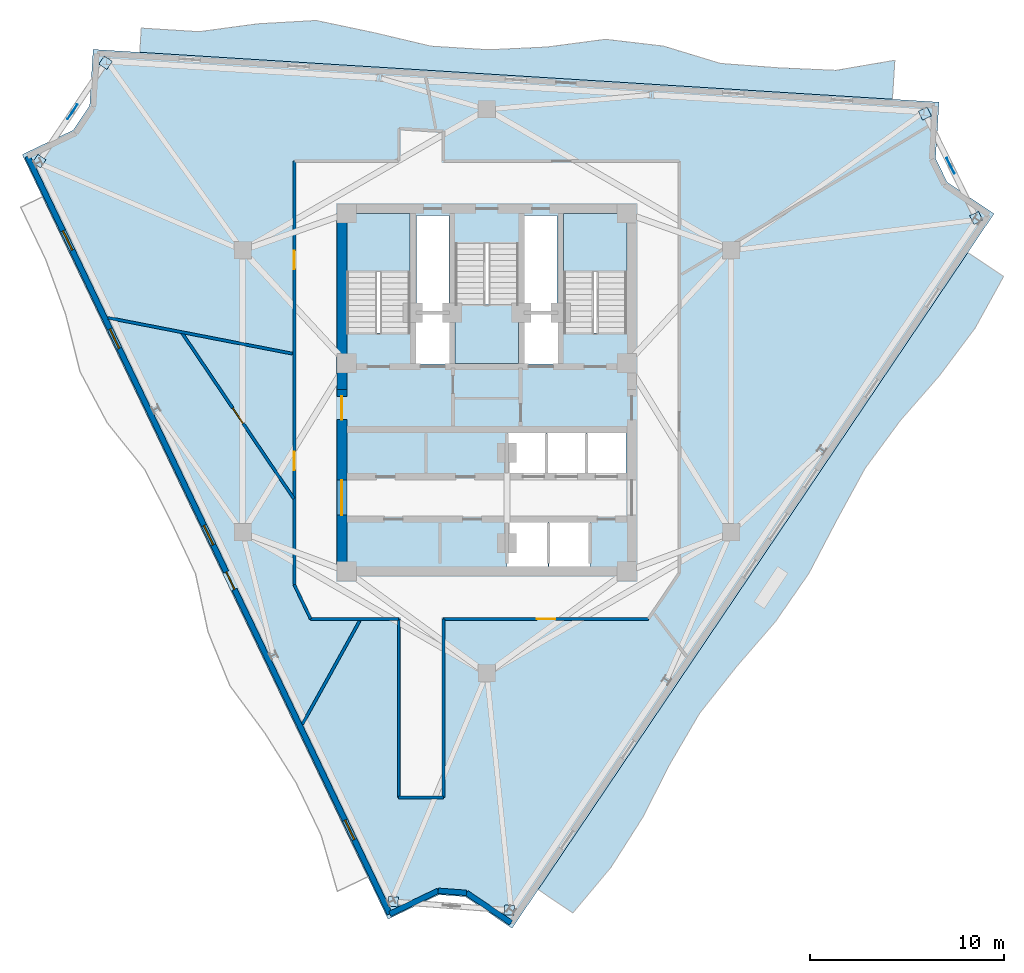
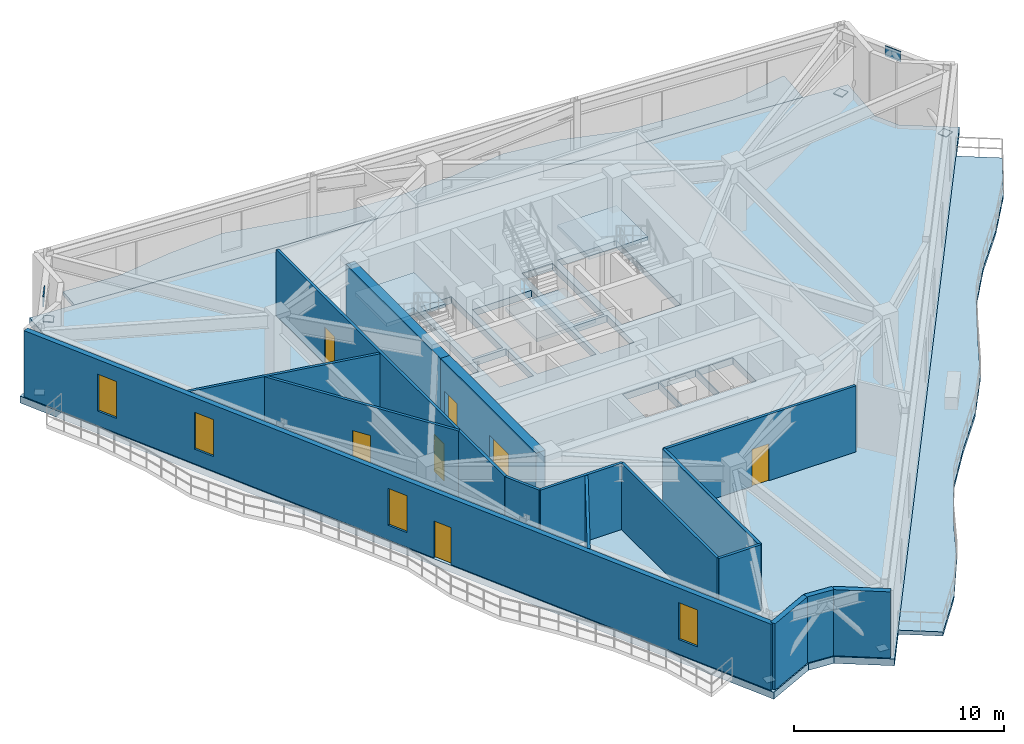
# One storey, part 5 of 11: 16 walls, 8 plates, 7 doors, 6 slabs, 4 windows, 11 openings, 3 elements without a shape of their own.
"""IFC4 building model written with IfcOpenShell, lengths in metres."""

import ifcopenshell
import ifcopenshell.guid

model = None  # the IFC model being written
_history = None  # IfcOwnerHistory: only IFC2X3 demands one
_inside = {}  # id of a spatial element -> (the spatial element, [elements in it])
_under = {}  # id of a project, library or spatial element -> (it, [spatial elements below it])
_declared = {}  # id of a project -> (the project, [libraries it declares])
_typed = {}  # id of a type object -> (the type object, [elements of that type])
_made_of = {}  # id of a material, layer set ... -> (it, [elements and type objects made of it])


def new_model(schema):
    """Start an empty IFC model of exactly this schema.

    Asked for "IFC4X3", IfcOpenShell would pick the latest addendum, in which some entities
    have other attributes; the version numbers below select the first issue.
    IFC2X3 requires an IfcOwnerHistory on every rooted entity: one is made here for all.
    """
    global model, _history
    if schema == "IFC4X3":
        model = ifcopenshell.file(schema_version=(4, 3, 0, 0))
    else:
        model = ifcopenshell.file(schema=schema)
    _inside.clear()
    _under.clear()
    _declared.clear()
    _typed.clear()
    _made_of.clear()
    _history = None
    if model.schema == "IFC2X3":
        org = make("IfcOrganization", Name="unknown")
        user = make(
            "IfcPersonAndOrganization",
            ThePerson=make("IfcPerson", FamilyName="unknown"),
            TheOrganization=org,
        )
        app = make(
            "IfcApplication",
            ApplicationDeveloper=org,
            Version="unknown",
            ApplicationFullName="unknown",
            ApplicationIdentifier="unknown",
        )
        _history = make(
            "IfcOwnerHistory",
            OwningUser=user,
            OwningApplication=app,
            ChangeAction="ADDED",
            CreationDate=0,
        )
    return model


def make(cls, **values):
    """One entity of the class cls with the attributes given. An attribute that is None is left unset."""
    return model.create_entity(
        cls, **{name: value for name, value in values.items() if value is not None}
    )


def rooted(cls, **values):
    """An entity with a GlobalId (a new one), such as an element, a storey or a relation."""
    return make(cls, GlobalId=ifcopenshell.guid.new(), OwnerHistory=_history, **values)


def si_unit(unit_type, name, prefix=None):
    """IfcSIUnit, for example si_unit("LENGTHUNIT", "METRE", prefix="MILLI")."""
    return make("IfcSIUnit", UnitType=unit_type, Prefix=prefix, Name=name)


def assignment(units):
    """IfcUnitAssignment: the units of a project."""
    return None if units is None else make("IfcUnitAssignment", Units=units)


def point(xyz):
    """IfcCartesianPoint."""
    return None if xyz is None else make("IfcCartesianPoint", Coordinates=xyz)


def direction(xyz):
    """IfcDirection."""
    return None if xyz is None else make("IfcDirection", DirectionRatios=xyz)


def frame(location, z_axis=None, x_axis=None):
    """IfcAxis2Placement3D, a coordinate frame: its origin and axes. An axis left out is left unset."""
    return make(
        "IfcAxis2Placement3D",
        Location=point(location),
        Axis=direction(z_axis),
        RefDirection=direction(x_axis),
    )


def frame_2d(location, x_axis=None):
    """IfcAxis2Placement2D, a coordinate frame in the plane: its origin and x axis."""
    return make(
        "IfcAxis2Placement2D", Location=point(location), RefDirection=direction(x_axis)
    )


def origin():
    """The frame at (0, 0, 0) with its axes left unset."""
    return frame((0.0, 0.0, 0.0))


def origin_2d():
    """The frame at (0, 0) in the plane with its x axis left unset."""
    return frame_2d((0.0, 0.0))


def place(relative_to, where):
    """IfcLocalPlacement: puts the frame where relative to a parent placement (None: the world)."""
    return make(
        "IfcLocalPlacement", PlacementRelTo=relative_to, RelativePlacement=where
    )


def context(
    kind, dimensions, precision=None, world=None, true_north=None, identifier=None
):
    """IfcGeometricRepresentationContext, for example the 3D "Model" context."""
    return make(
        "IfcGeometricRepresentationContext",
        ContextIdentifier=identifier,
        ContextType=kind,
        CoordinateSpaceDimension=dimensions,
        Precision=precision,
        WorldCoordinateSystem=world,
        TrueNorth=true_north,
    )


def subcontext(parent, identifier, kind, view, scale=None):
    """IfcGeometricRepresentationSubContext, for example "Body" below "Model"."""
    return make(
        "IfcGeometricRepresentationSubContext",
        ContextIdentifier=identifier,
        ContextType=kind,
        ParentContext=parent,
        TargetScale=scale,
        TargetView=view,
    )


def project(units=None, contexts=None):
    """IfcProject with its units and contexts."""
    return rooted(
        "IfcProject",
        Name="project",
        RepresentationContexts=contexts,
        UnitsInContext=assignment(units),
    )


def spatial(cls, under=None, at=None, **own):
    """A site, building, storey or space (cls), placed at a placement, below another one or the project."""
    s = rooted(cls, ObjectPlacement=at, **own)
    if under is not None:
        _under.setdefault(under.id(), (under, []))[1].append(s)
    return s


def polyline(points):
    """IfcPolyline through the points."""
    return make("IfcPolyline", Points=[point(p) for p in points])


def profile(cls, at=None, kind="AREA", **sizes):
    """A parametric profile (cls). Its sizes go by their IFC names, for example OverallWidth=200.0."""
    return make(cls, ProfileType=kind, Position=at, **sizes)


def rectangle(**sizes):
    """IfcRectangleProfileDef."""
    return profile("IfcRectangleProfileDef", **sizes)


def outline(outer, holes=None, kind="AREA"):
    """IfcArbitraryClosedProfileDef: a profile drawn as a closed curve; with holes, ...WithVoids."""
    if holes is None:
        return make("IfcArbitraryClosedProfileDef", ProfileType=kind, OuterCurve=outer)
    return make(
        "IfcArbitraryProfileDefWithVoids",
        ProfileType=kind,
        OuterCurve=outer,
        InnerCurves=holes,
    )


def extrude(swept, where, along, depth):
    """IfcExtrudedAreaSolid: the profile swept, set in the frame where, extruded along a direction by depth."""
    return make(
        "IfcExtrudedAreaSolid",
        SweptArea=swept,
        Position=where,
        ExtrudedDirection=direction(along),
        Depth=depth,
    )


def shape(context_of_items, identifier, shape_type, items):
    """IfcShapeRepresentation: the items that make up one representation, for example the "Body"."""
    return make(
        "IfcShapeRepresentation",
        ContextOfItems=context_of_items,
        RepresentationIdentifier=identifier,
        RepresentationType=shape_type,
        Items=items,
    )


def material(Name=None, Category=None):
    """IfcMaterial."""
    return make("IfcMaterial", Name=Name, Category=Category)


def layer(
    of_material, thickness, ventilated=None, Name=None, Category=None, Priority=None
):
    """IfcMaterialLayer: one layer of a wall or slab, of a material (None: an air gap)."""
    return make(
        "IfcMaterialLayer",
        Material=of_material,
        LayerThickness=thickness,
        IsVentilated=ventilated,
        Name=Name,
        Category=Category,
        Priority=Priority,
    )


def layer_set(layers, Name=None):
    """IfcMaterialLayerSet."""
    return make("IfcMaterialLayerSet", MaterialLayers=layers, LayerSetName=Name)


def made_of(thing, what):
    """Note that an element or type object is made of a material, layer set ...; save() writes the relation."""
    if what is not None:
        _made_of.setdefault(what.id(), (what, []))[1].append(thing)
    return thing


def type_object(cls, material=None, **own):
    """A type object (cls), such as IfcWallType, which elements share."""
    return made_of(rooted(cls, **own), material)


def element(
    cls,
    number,
    at=None,
    inside=None,
    cuts=None,
    type_object=None,
    material=None,
    context=None,
    identifier="Body",
    shape_type=None,
    held_by="IfcProductDefinitionShape",
    body=None,
    shapes=None,
    **own,
):
    """One element of the class cls, such as IfcWall. Its Tag is "e" and its number.

    at: its placement. inside: the storey or other place that contains it. cuts: it is an
    opening in that element (IfcRelVoidsElement). A single representation is given by context,
    identifier, shape_type and body (its items); several are given by shapes. held_by: the class
    of the entity that holds the representations. save() writes the other relations.
    """
    e = rooted(cls, Tag="e%d" % number, ObjectPlacement=at, **own)
    if body is not None:
        shapes = [shape(context, identifier, shape_type, body)]
    if shapes is not None:
        e.Representation = make(held_by, Representations=shapes)
    if inside is not None:
        _inside.setdefault(inside.id(), (inside, []))[1].append(e)
    if cuts is not None:
        rooted(
            "IfcRelVoidsElement", RelatingBuildingElement=cuts, RelatedOpeningElement=e
        )
    if type_object is not None:
        _typed.setdefault(type_object.id(), (type_object, []))[1].append(e)
    return made_of(e, material)


def fill(opening, filler):
    """IfcRelFillsElement: the door or window that sits in an opening."""
    return rooted(
        "IfcRelFillsElement",
        RelatingOpeningElement=opening,
        RelatedBuildingElement=filler,
    )


def aggregate(whole, parts):
    """IfcRelAggregates: a whole, such as a stair, and the parts it consists of."""
    return rooted("IfcRelAggregates", RelatingObject=whole, RelatedObjects=parts)


def save(model, path):
    """Write the relations noted so far, then the file.

    IfcRelAggregates (storeys below a building ...), IfcRelContainedInSpatialStructure (elements
    in a storey), IfcRelDefinesByType, IfcRelAssociatesMaterial and IfcRelDeclares: one each for
    every whole, place, type object, material and project.
    """
    for whole, parts in _under.values():
        aggregate(whole, parts)
    for where, things in _inside.values():
        rooted(
            "IfcRelContainedInSpatialStructure",
            RelatedElements=things,
            RelatingStructure=where,
        )
    for kind, things in _typed.values():
        rooted("IfcRelDefinesByType", RelatedObjects=things, RelatingType=kind)
    for what, things in _made_of.values():
        rooted("IfcRelAssociatesMaterial", RelatedObjects=things, RelatingMaterial=what)
    for by, libraries in _declared.values():
        rooted("IfcRelDeclares", RelatingContext=by, RelatedDefinitions=libraries)
    model.write(path)


model = new_model("IFC4")

# Units and contexts
model_context = context("Model", 3, precision=1e-05, world=origin(), true_north=direction((0.0, 1.0)))
body_context = subcontext(model_context, "Body", "Model", "MODEL_VIEW")
ifc_project = project(units=[si_unit("LENGTHUNIT", "METRE"), si_unit("AREAUNIT", "SQUARE_METRE"), si_unit("VOLUMEUNIT", "CUBIC_METRE"), si_unit("PLANEANGLEUNIT", "RADIAN"), si_unit("MASSUNIT", "GRAM", prefix="KILO")], contexts=[model_context])

# Site, building, storey
site_placement = place(None, origin())
site = spatial("IfcSite", under=ifc_project, at=site_placement, CompositionType="ELEMENT")
building_placement = place(site_placement, origin())
building = spatial("IfcBuilding", under=site, at=building_placement, Name="Apsidion Concourse Tower", CompositionType="ELEMENT")
storey_placement = place(building_placement, frame((0.0, 0.0, 294.199951171875)))
storey = spatial("IfcBuildingStorey", under=building, at=storey_placement, Name="L69", CompositionType="ELEMENT", Elevation=294.199951171875)

# Plates
ifc_material_1 = material(Name="Structural steel ASTM A572 Grade 50", Category="steel")
ifc_layer_1 = layer(ifc_material_1, 0.034912109375)
ifc_layer_set_1 = layer_set([ifc_layer_1], Name="Structural steel ASTM A572 Grade 50")
plate_type_1 = type_object("IfcPlateType", Name="PL-ENDCAP-35", PredefinedType="USERDEFINED", material=ifc_layer_set_1)
for number, where, z_axis, x_axis, name in (
    (1, (-4.81201171875, -26.234130859375, 0.1025390625), (0.0, 0.0, 1.0), (-0.997288851512, 0.073586321085, 0.0), "L69 Chevron Base End Plate KNB-1-1"),
    (2, (1.154296875, -26.674560546875, 0.1025390625), (0.0, 0.0, 1.0), (-0.997288851512, 0.073586321085, 0.0), "L69 Chevron Base End Plate KNB-1-2"),
    (3, (25.164794921875, 8.922119140625, 0.1025390625), (0.0, 0.0, 1.0), (-0.441819028143, 0.897104200397, 0.0), "L69 Chevron Base End Plate KNB-2-1"),
    (4, (22.521240234375, 14.288818359375, 0.1025390625), (0.0, 0.0, 1.0), (-0.441819028143, 0.897104200397, 0.0), "L69 Chevron Base End Plate KNB-2-2"),
    (5, (-19.601806640625, 16.905517578125, 0.1025390625), (0.0, 0.0, 1.0), (0.559192903471, 0.829037572555, 0.0), "L69 Chevron Base End Plate KNB-3-1"),
    (6, (-23.017333984375, 11.841552734375, 0.1025390625), (0.0, 0.0, 1.0), (0.559192903471, 0.829037572555, 0.0), "L69 Chevron Base End Plate KNB-3-2"),
):
    element("IfcPlate", number, at=place(storey_placement, frame(where, z_axis=z_axis, x_axis=x_axis)), inside=storey, type_object=plate_type_1, Name=name, ObjectType="FLANGE_PLATE", PredefinedType="USERDEFINED", context=body_context, shape_type="SweptSolid", body=[
        extrude(rectangle(XDim=0.5, YDim=0.5, at=origin_2d()), origin(), (0.0, 0.0, 1.0), 0.034912109375),
    ])
ifc_layer_2 = layer(ifc_material_1, 0.0400390625)
ifc_layer_set_2 = layer_set([ifc_layer_2], Name="Structural steel ASTM A572 Grade 50")
plate_type_2 = type_object("IfcPlateType", Name="PL-GUSSET-40", PredefinedType="SHEET", material=ifc_layer_set_2)
for number, where, z_axis, x_axis, name in (
    (7, (23.843017578125, 11.605712890625, 3.27001953125), (0.0, 0.0, 1.0), (-0.441819028143, 0.897104200397, 0.0), "L69 Chevron Apex Node Gusset Plate KNA-2"),
    (8, (-21.3095703125, 14.37353515625, 3.27001953125), (0.0, 0.0, 1.0), (0.559192903471, 0.829037572555, 0.0), "L69 Chevron Apex Node Gusset Plate KNA-3"),
):
    element("IfcPlate", number, at=place(storey_placement, frame(where, z_axis=z_axis, x_axis=x_axis)), inside=storey, type_object=plate_type_2, Name=name, PredefinedType="SHEET", context=body_context, shape_type="SweptSolid", body=[
        extrude(rectangle(XDim=0.89990234375, YDim=0.0400390625, at=origin_2d()), origin(), (0.0, 0.0, 1.0), 0.60009765625),
    ])

# Slabs
ifc_material_2 = material(Name="Concrete C50/60", Category="concrete")
ifc_layer_3 = layer(ifc_material_2, 0.219970703125)
ifc_layer_set_3 = layer_set([ifc_layer_3], Name="Concrete C50/60")
slab_type_1 = type_object("IfcSlabType", Name="SL-BAL-220", PredefinedType="FLOOR", material=ifc_layer_set_3)
slab_1_placement = place(storey_placement, frame((0.0, 0.0, -0.219970703125)))
element("IfcSlab", 9, at=slab_1_placement, inside=storey, type_object=slab_type_1, Name="L69 Face 3 Rippling Balcony Slab", PredefinedType="FLOOR", context=body_context, shape_type="SweptSolid", body=[
    extrude(outline(polyline([(20.8564453125, 15.025146484375), (17.879150390625, 15.2109375), (14.90185546875, 15.396484375), (11.924560546875, 15.582275390625), (8.947265625, 15.767822265625), (5.969970703125, 15.95361328125), (2.99267578125, 16.139404296875), (0.015380859375, 16.324951171875), (-2.9619140625, 16.510498046875), (-5.939208984375, 16.6962890625), (-8.91650390625, 16.882080078125), (-11.893798828125, 17.067626953125), (-14.87109375, 17.25341796875), (-17.848388671875, 17.43896484375), (-17.7705078125, 18.6865234375), (-14.793212890625, 18.5009765625), (-11.779052734375, 18.906005859375), (-8.779541015625, 19.076416015625), (-5.82958984375, 18.455322265625), (-2.884033203125, 17.75830078125), (0.09326171875, 17.572509765625), (3.0908203125, 17.712158203125), (6.104248046875, 18.10791015625), (9.071533203125, 17.76123046875), (12.0048828125, 16.869140625), (14.979736328125, 16.64404296875), (17.96044921875, 16.513671875), (20.9814453125, 17.031005859375), (20.8564453125, 15.025146484375)])), origin(), (0.0, 0.0, 1.0), 0.219970703125),
])
ifc_layer_4 = layer(ifc_material_2, 0.39990234375)
ifc_layer_set_4 = layer_set([ifc_layer_4], Name="Concrete C50/60")
slab_type_2 = type_object("IfcSlabType", Name="SL-FLR-400", PredefinedType="FLOOR", material=ifc_layer_set_4)
slab_2_placement = place(storey_placement, frame((0.0, 0.0, -0.39990234375)))
element("IfcSlab", 10, at=slab_2_placement, inside=storey, type_object=slab_type_2, Name="L69 Structural Floor Slab", PredefinedType="FLOOR", context=body_context, shape_type="SweptSolid", body=[
    extrude(outline(polyline([(-20.24365234375, 17.58837890625), (-20.424560546875, 14.688232421875), (-21.27001953125, 13.43505859375), (-23.89111328125, 12.180908203125), (-5.082275390625, -27.131103515625), (-2.461181640625, -25.877197265625), (-1.11181640625, -25.9765625), (1.297119140625, -27.6015625), (26.07763671875, 9.136962890625), (23.668701171875, 10.76171875), (23.07080078125, 11.9755859375), (23.251708984375, 14.875732421875), (-20.24365234375, 17.58837890625)]), holes=[polyline([(-3.949951171875, 3.0), (-3.949951171875, 9.14990234375), (-7.199951171875, 9.14990234375), (-7.199951171875, 3.0), (-3.949951171875, 3.0)]), polyline([(7.199951171875, 3.0), (7.199951171875, 9.14990234375), (3.949951171875, 9.14990234375), (3.949951171875, 3.0), (7.199951171875, 3.0)]), polyline([(-1.625, 7.60009765625), (-1.625, 1.449951171875), (1.625, 1.449951171875), (1.625, 7.60009765625), (-1.625, 7.60009765625)]), polyline([(1.054931640625, -4.300048828125), (3.044921875, -4.300048828125), (3.044921875, -2.050048828125), (1.054931640625, -2.050048828125), (1.054931640625, -4.300048828125)]), polyline([(3.10498046875, -4.300048828125), (5.094970703125, -4.300048828125), (5.094970703125, -2.050048828125), (3.10498046875, -2.050048828125), (3.10498046875, -4.300048828125)]), polyline([(5.155029296875, -4.300048828125), (7.14501953125, -4.300048828125), (7.14501953125, -2.050048828125), (5.155029296875, -2.050048828125), (5.155029296875, -4.300048828125)]), polyline([(1.044921875, -9.0), (3.155029296875, -9.0), (3.155029296875, -6.64990234375), (1.044921875, -6.64990234375), (1.044921875, -9.0)]), polyline([(3.195068359375, -9.0), (5.304931640625, -9.0), (5.304931640625, -6.64990234375), (3.195068359375, -6.64990234375), (3.195068359375, -9.0)]), polyline([(-3.7099609375, 1.39990234375), (-1.85009765625, 1.39990234375), (-1.85009765625, 4.0), (-3.7099609375, 4.0), (-3.7099609375, 1.39990234375)]), polyline([(1.85009765625, 1.39990234375), (3.7099609375, 1.39990234375), (3.7099609375, 4.0), (1.85009765625, 4.0), (1.85009765625, 1.39990234375)]), polyline([(-3.6201171875, 4.14990234375), (-1.93994140625, 4.14990234375), (-1.93994140625, 9.050048828125), (-3.6201171875, 9.050048828125), (-3.6201171875, 4.14990234375)]), polyline([(1.93994140625, 4.14990234375), (3.6201171875, 4.14990234375), (3.6201171875, 9.050048828125), (1.93994140625, 9.050048828125), (1.93994140625, 4.14990234375)])]), origin(), (0.0, 0.0, 1.0), 0.39990234375),
])

# Stair, slab
ifc_material_3 = material(Name="Precast concrete C40/50", Category="concrete")
stair_type = type_object("IfcStairType", Name="ST-DL-1550", PredefinedType="HALF_TURN_STAIR", material=ifc_material_3)
stair_1_placement = place(storey_placement, origin())
stair_1 = element("IfcStair", 11, at=stair_1_placement, inside=storey, type_object=stair_type, Name="L69 Protected Core Exit Stair ST1", PredefinedType="HALF_TURN_STAIR")
ifc_layer_5 = layer(ifc_material_2, 0.199951171875)
ifc_layer_set_5 = layer_set([ifc_layer_5], Name="Concrete C50/60")
slab_type_3 = type_object("IfcSlabType", Name="SL-ST-LAND-200", PredefinedType="LANDING", material=ifc_layer_set_5)
slab_3_placement = place(storey_placement, frame((0.0, 0.0, 1.85009765625)))
slab_3 = element("IfcSlab", 12, at=slab_3_placement, type_object=slab_type_3, Name="ST1 landing 1", PredefinedType="LANDING", context=body_context, shape_type="SweptSolid", body=[
    extrude(outline(polyline([(-3.949951171875, 6.135009765625), (-3.949951171875, 9.14990234375), (-7.199951171875, 9.14990234375), (-7.199951171875, 6.135009765625), (-3.949951171875, 6.135009765625)])), origin(), (0.0, 0.0, 1.0), 0.199951171875),
])
aggregate(stair_1, [slab_3])

stair_2_placement = place(storey_placement, origin())
stair_2 = element("IfcStair", 13, at=stair_2_placement, inside=storey, type_object=stair_type, Name="L69 Protected Core Exit Stair ST2", PredefinedType="HALF_TURN_STAIR")
slab_4_placement = place(storey_placement, frame((0.0, 0.0, 1.85009765625)))
slab_4 = element("IfcSlab", 14, at=slab_4_placement, type_object=slab_type_3, Name="ST2 landing 1", PredefinedType="LANDING", context=body_context, shape_type="SweptSolid", body=[
    extrude(outline(polyline([(7.199951171875, 6.135009765625), (7.199951171875, 9.14990234375), (3.949951171875, 9.14990234375), (3.949951171875, 6.135009765625), (7.199951171875, 6.135009765625)])), origin(), (0.0, 0.0, 1.0), 0.199951171875),
])
aggregate(stair_2, [slab_4])

stair_3_placement = place(storey_placement, origin())
stair_3 = element("IfcStair", 15, at=stair_3_placement, inside=storey, type_object=stair_type, Name="L69 Protected Core Exit Stair ST3", PredefinedType="HALF_TURN_STAIR")
slab_5_placement = place(storey_placement, frame((0.0, 0.0, 1.85009765625)))
slab_5 = element("IfcSlab", 16, at=slab_5_placement, type_object=slab_type_3, Name="ST3 landing 1", PredefinedType="LANDING", context=body_context, shape_type="SweptSolid", body=[
    extrude(outline(polyline([(-1.625, 4.465087890625), (-1.625, 1.449951171875), (1.625, 1.449951171875), (1.625, 4.465087890625), (-1.625, 4.465087890625)])), origin(), (0.0, 0.0, 1.0), 0.199951171875),
])
aggregate(stair_3, [slab_5])

# Slab
ifc_layer_6 = layer(ifc_material_2, 0.239990234375)
ifc_layer_set_6 = layer_set([ifc_layer_6], Name="Concrete C50/60")
slab_type_4 = type_object("IfcSlabType", Name="SL-TERR-240", PredefinedType="ROOF", material=ifc_layer_set_6)
slab_6_placement = place(storey_placement, frame((0.0, 0.0, -0.239990234375)))
element("IfcSlab", 17, at=slab_6_placement, inside=storey, type_object=slab_type_4, Name="L69 Face 2 Spiral Sky-Terrace Slab", PredefinedType="ROOF", context=body_context, shape_type="SweptSolid", body=[
    extrude(outline(polyline([(2.639404296875, -25.61181640625), (4.339111328125, -23.091796875), (6.038818359375, -20.572021484375), (7.73828125, -18.052001953125), (9.43798828125, -15.531982421875), (11.1376953125, -13.01220703125), (12.83740234375, -10.4921875), (14.537353515625, -7.972412109375), (16.237060546875, -5.452392578125), (17.936767578125, -2.9326171875), (19.636474609375, -0.41259765625), (21.336181640625, 2.107421875), (23.035888671875, 4.627197265625), (24.735595703125, 7.147216796875), (26.571044921875, 5.9091796875), (25.093505859375, 3.2392578125), (23.268310546875, 0.80419921875), (21.253662109375, -1.50341796875), (19.44775390625, -3.951904296875), (17.984619140625, -6.631103515625), (16.5654296875, -9.34033203125), (14.835693359375, -11.840087890625), (12.83349609375, -14.156005859375), (10.94091796875, -16.545654296875), (9.401611328125, -19.173828125), (8.012939453125, -21.90380859375), (6.3818359375, -24.469970703125), (4.421630859375, -26.814208984375), (2.639404296875, -25.61181640625)])), origin(), (0.0, 0.0, 1.0), 0.239990234375),
])

# Walls
ifc_layer_7 = layer(ifc_material_3, 0.280029296875)
ifc_layer_set_7 = layer_set([ifc_layer_7], Name="Precast concrete C40/50")
wall_type_1 = type_object("IfcWallType", Name="WL-EXT-280", PredefinedType="STANDARD", material=ifc_layer_set_7)
wall_1_placement = place(storey_placement, frame((1.2431640625, -27.323974609375, 0.0), z_axis=(0.0, 0.0, 1.0), x_axis=(-0.829015842911, 0.559225117643, 0.0)))
element("IfcWall", 18, at=wall_1_placement, inside=storey, type_object=wall_type_1, Name="L69 Precast Stone Facade Wall 06", PredefinedType="STANDARD", context=body_context, shape_type="SweptSolid", body=[
    extrude(rectangle(XDim=2.759033203125, YDim=0.280029296875, at=frame_2d((1.37939453125, 0.0))), origin(), (0.0, 0.0, 1.0), 3.85009765625),
])
wall_2_placement = place(storey_placement, frame((-1.044189453125, -25.781005859375, 0.0), z_axis=(0.0, 0.0, 1.0), x_axis=(-0.997286893261, 0.073612855735, 0.0)))
element("IfcWall", 19, at=wall_2_placement, inside=storey, type_object=wall_type_1, Name="L69 Precast Stone Facade Wall 07", PredefinedType="STANDARD", context=body_context, shape_type="SweptSolid", body=[
    extrude(rectangle(XDim=1.459228515625, YDim=0.280029296875, at=frame_2d((0.7294921875, 0.0))), origin(), (0.0, 0.0, 1.0), 3.85009765625),
])
wall_3_placement = place(storey_placement, frame((-2.49951171875, -25.673583984375, 0.0), z_axis=(0.0, 0.0, 1.0), x_axis=(-0.902044352952, -0.431643354296, 0.0)))
element("IfcWall", 20, at=wall_3_placement, inside=storey, type_object=wall_type_1, Name="L69 Precast Stone Facade Wall 08", PredefinedType="STANDARD", context=body_context, shape_type="SweptSolid", body=[
    extrude(rectangle(XDim=2.759033203125, YDim=0.280029296875, at=frame_2d((1.37939453125, 0.0))), origin(), (0.0, 0.0, 1.0), 3.85009765625),
])

# Wall, openings, door, windows
wall_4_placement = place(storey_placement, frame((-4.98828125, -26.864501953125, 0.0), z_axis=(0.0, 0.0, 1.0), x_axis=(-0.431592936847, 0.902068476815, 0.0)))
wall_4 = element("IfcWall", 21, at=wall_4_placement, inside=storey, type_object=wall_type_1, Name="L69 Precast Stone Facade Wall 09", PredefinedType="STANDARD", context=body_context, shape_type="SweptSolid", body=[
    extrude(rectangle(XDim=43.18017578125, YDim=0.280029296875, at=frame_2d((21.590087890625, 0.0))), origin(), (0.0, 0.0, 1.0), 3.85009765625),
])
opening_1_placement = place(wall_4_placement, frame((18.499267578125, 0.0, 0.0)))
opening_1 = element("IfcOpeningElement", 22, at=opening_1_placement, cuts=wall_4, Name="Opening D-T1R", PredefinedType="OPENING", context=body_context, shape_type="SweptSolid", body=[
    extrude(rectangle(XDim=1.0, YDim=2.14990234375, at=frame_2d((0.5, 1.074951171875))), frame((0.0, 0.14990234375, 0.0), z_axis=(0.0, -1.0, 0.0), x_axis=(1.0, 0.0, 0.0)), (0.0, 0.0, 1.0), 0.300048828125),
])
opening_2_placement = place(wall_4_placement, frame((4.239990234375, 0.0, 0.85009765625)))
opening_2 = element("IfcOpeningElement", 23, at=opening_2_placement, cuts=wall_4, Name="Opening WN-07", PredefinedType="OPENING", context=body_context, shape_type="SweptSolid", body=[
    extrude(rectangle(XDim=1.10009765625, YDim=2.14990234375, at=frame_2d((0.550048828125, 1.074951171875))), frame((0.0, 0.14990234375, 0.0), z_axis=(0.0, -1.0, 0.0), x_axis=(1.0, 0.0, 0.0)), (0.0, 0.0, 1.0), 0.300048828125),
])
opening_3_placement = place(wall_4_placement, frame((21.0400390625, 0.0, 0.85009765625)))
opening_3 = element("IfcOpeningElement", 24, at=opening_3_placement, cuts=wall_4, Name="Opening WN-07", PredefinedType="OPENING", context=body_context, shape_type="SweptSolid", body=[
    extrude(rectangle(XDim=1.10009765625, YDim=2.14990234375, at=frame_2d((0.550048828125, 1.074951171875))), frame((0.0, 0.14990234375, 0.0), z_axis=(0.0, -1.0, 0.0), x_axis=(1.0, 0.0, 0.0)), (0.0, 0.0, 1.0), 0.300048828125),
])
opening_4_placement = place(wall_4_placement, frame((32.239990234375, 0.0, 0.85009765625)))
opening_4 = element("IfcOpeningElement", 25, at=opening_4_placement, cuts=wall_4, Name="Opening WN-07", PredefinedType="OPENING", context=body_context, shape_type="SweptSolid", body=[
    extrude(rectangle(XDim=1.10009765625, YDim=2.14990234375, at=frame_2d((0.550048828125, 1.074951171875))), frame((0.0, 0.14990234375, 0.0), z_axis=(0.0, -1.0, 0.0), x_axis=(1.0, 0.0, 0.0)), (0.0, 0.0, 1.0), 0.300048828125),
])
opening_5_placement = place(wall_4_placement, frame((37.840087890625, 0.0, 0.85009765625)))
opening_5 = element("IfcOpeningElement", 26, at=opening_5_placement, cuts=wall_4, Name="Opening WN-07", PredefinedType="OPENING", context=body_context, shape_type="SweptSolid", body=[
    extrude(rectangle(XDim=1.10009765625, YDim=2.14990234375, at=frame_2d((0.550048828125, 1.074951171875))), frame((0.0, 0.14990234375, 0.0), z_axis=(0.0, -1.0, 0.0), x_axis=(1.0, 0.0, 0.0)), (0.0, 0.0, 1.0), 0.300048828125),
])
ifc_material_4 = material(Name="Anodised aluminium EN AW-6063 T6", Category="aluminium")
door_type_1 = type_object("IfcDoorType", Name="DR-TER-1022R", OperationType="SINGLE_SWING_RIGHT", PredefinedType="DOOR", material=ifc_material_4)
door_1_placement = place(opening_1_placement, origin())
door_1 = element("IfcDoor", 27, at=door_1_placement, inside=storey, type_object=door_type_1, Name="L69 Balcony Access Door 1", OperationType="SINGLE_SWING_RIGHT", OverallHeight=2.14990234375, OverallWidth=1.0, PredefinedType="DOOR", context=body_context, shape_type="SweptSolid", body=[
    extrude(rectangle(XDim=1.0, YDim=2.14990234375, at=frame_2d((0.5, 1.074951171875))), frame((0.0, 0.02490234375, 0.0), z_axis=(0.0, -1.0, 0.0), x_axis=(1.0, 0.0, 0.0)), (0.0, 0.0, 1.0), 0.050048828125),
])
fill(opening_1, door_1)
ifc_material_5 = material(Name="Insulated laminated low-E glass", Category="glass")
window_type = type_object("IfcWindowType", Name="WN-OFF-1123", PartitioningType="SINGLE_PANEL", PredefinedType="WINDOW", material=ifc_material_5)
window_1_placement = place(opening_2_placement, origin())
window_1 = element("IfcWindow", 28, at=window_1_placement, inside=storey, type_object=window_type, Name="L69 Punched Facade Window 9-01", OverallHeight=2.14990234375, OverallWidth=1.10009765625, PartitioningType="SINGLE_PANEL", PredefinedType="WINDOW", context=body_context, shape_type="SweptSolid", body=[
    extrude(rectangle(XDim=1.10009765625, YDim=2.14990234375, at=frame_2d((0.550048828125, 1.074951171875))), frame((0.0, 0.030029296875, 0.0), z_axis=(0.0, -1.0, 0.0), x_axis=(1.0, 0.0, 0.0)), (0.0, 0.0, 1.0), 0.06005859375),
])
fill(opening_2, window_1)
window_2_placement = place(opening_3_placement, origin())
window_2 = element("IfcWindow", 29, at=window_2_placement, inside=storey, type_object=window_type, Name="L69 Punched Facade Window 9-04", OverallHeight=2.14990234375, OverallWidth=1.10009765625, PartitioningType="SINGLE_PANEL", PredefinedType="WINDOW", context=body_context, shape_type="SweptSolid", body=[
    extrude(rectangle(XDim=1.10009765625, YDim=2.14990234375, at=frame_2d((0.550048828125, 1.074951171875))), frame((0.0, 0.030029296875, 0.0), z_axis=(0.0, -1.0, 0.0), x_axis=(1.0, 0.0, 0.0)), (0.0, 0.0, 1.0), 0.06005859375),
])
fill(opening_3, window_2)
window_3_placement = place(opening_4_placement, origin())
window_3 = element("IfcWindow", 30, at=window_3_placement, inside=storey, type_object=window_type, Name="L69 Punched Facade Window 9-06", OverallHeight=2.14990234375, OverallWidth=1.10009765625, PartitioningType="SINGLE_PANEL", PredefinedType="WINDOW", context=body_context, shape_type="SweptSolid", body=[
    extrude(rectangle(XDim=1.10009765625, YDim=2.14990234375, at=frame_2d((0.550048828125, 1.074951171875))), frame((0.0, 0.030029296875, 0.0), z_axis=(0.0, -1.0, 0.0), x_axis=(1.0, 0.0, 0.0)), (0.0, 0.0, 1.0), 0.06005859375),
])
fill(opening_4, window_3)
window_4_placement = place(opening_5_placement, origin())
window_4 = element("IfcWindow", 31, at=window_4_placement, inside=storey, type_object=window_type, Name="L69 Punched Facade Window 9-07", OverallHeight=2.14990234375, OverallWidth=1.10009765625, PartitioningType="SINGLE_PANEL", PredefinedType="WINDOW", context=body_context, shape_type="SweptSolid", body=[
    extrude(rectangle(XDim=1.10009765625, YDim=2.14990234375, at=frame_2d((0.550048828125, 1.074951171875))), frame((0.0, 0.030029296875, 0.0), z_axis=(0.0, -1.0, 0.0), x_axis=(1.0, 0.0, 0.0)), (0.0, 0.0, 1.0), 0.06005859375),
])
fill(opening_5, window_4)

# Walls
ifc_material_6 = material(Name="Gypsum plasterboard partition")
ifc_layer_8 = layer(ifc_material_6, 0.14990234375)
ifc_layer_set_8 = layer_set([ifc_layer_8], Name="Gypsum plasterboard partition")
wall_type_2 = type_object("IfcWallType", Name="WL-INT-PAR-150", PredefinedType="PARTITIONING", material=ifc_layer_set_8)
wall_5_placement = place(storey_placement, frame((-4.530029296875, -11.699951171875, 0.0), z_axis=(0.0, 0.0, 1.0), x_axis=(-1.0, 0.0, 0.0)))
element("IfcWall", 32, at=wall_5_placement, inside=storey, type_object=wall_type_2, Name="L69 Interior Partition WL-L69-CORR-01", PredefinedType="PARTITIONING", context=body_context, shape_type="SweptSolid", body=[
    extrude(rectangle(XDim=4.5263671875, YDim=0.14990234375, at=frame_2d((2.26318359375, 0.0))), origin(), (0.0, 0.0, 1.0), 3.85009765625),
])
wall_6_placement = place(storey_placement, frame((-9.056396484375, -11.699951171875, 0.0), z_axis=(0.0, 0.0, 1.0), x_axis=(-0.431605782187, 0.902062330875, 0.0)))
element("IfcWall", 33, at=wall_6_placement, inside=storey, type_object=wall_type_2, Name="L69 Interior Partition WL-L69-CORR-02", PredefinedType="PARTITIONING", context=body_context, shape_type="SweptSolid", body=[
    extrude(rectangle(XDim=1.954345703125, YDim=0.14990234375, at=frame_2d((0.97705078125, 0.0))), origin(), (0.0, 0.0, 1.0), 3.85009765625),
])

# Wall, openings, doors
wall_7_placement = place(storey_placement, frame((-9.89990234375, -9.93701171875, 0.0), z_axis=(0.0, 0.0, 1.0), x_axis=(0.0, 1.0, 0.0)))
wall_7 = element("IfcWall", 34, at=wall_7_placement, inside=storey, type_object=wall_type_2, Name="L69 Interior Partition WL-L69-CORR-03", PredefinedType="PARTITIONING", context=body_context, shape_type="SweptSolid", body=[
    extrude(rectangle(XDim=21.787109375, YDim=0.14990234375, at=frame_2d((10.8935546875, 0.0))), origin(), (0.0, 0.0, 1.0), 3.85009765625),
])
opening_6_placement = place(wall_7_placement, frame((5.890380859375, 0.0, 0.0)))
opening_6 = element("IfcOpeningElement", 35, at=opening_6_placement, cuts=wall_7, Name="Opening D-01L", PredefinedType="OPENING", context=body_context, shape_type="SweptSolid", body=[
    extrude(rectangle(XDim=0.949951171875, YDim=2.14990234375, at=frame_2d((0.47509765625, 1.074951171875))), frame((0.0, 0.0849609375, 0.0), z_axis=(0.0, -1.0, 0.0), x_axis=(1.0, 0.0, 0.0)), (0.0, 0.0, 1.0), 0.169921875),
])
opening_7_placement = place(wall_7_placement, frame((16.229248046875, 0.0, 0.0)))
opening_7 = element("IfcOpeningElement", 36, at=opening_7_placement, cuts=wall_7, Name="Opening D-01L", PredefinedType="OPENING", context=body_context, shape_type="SweptSolid", body=[
    extrude(rectangle(XDim=0.949951171875, YDim=2.14990234375, at=frame_2d((0.47509765625, 1.074951171875))), frame((0.0, 0.0849609375, 0.0), z_axis=(0.0, -1.0, 0.0), x_axis=(1.0, 0.0, 0.0)), (0.0, 0.0, 1.0), 0.169921875),
])
ifc_material_7 = material(Name="Brushed stainless steel 316", Category="steel")
door_type_2 = type_object("IfcDoorType", Name="DR-INT-D01L", OperationType="SINGLE_SWING_LEFT", PredefinedType="DOOR", material=ifc_material_7)
door_2_placement = place(opening_6_placement, origin())
door_2 = element("IfcDoor", 37, at=door_2_placement, inside=storey, type_object=door_type_2, Name="L69 Corridor Entry Door 01", OperationType="SINGLE_SWING_LEFT", OverallHeight=2.14990234375, OverallWidth=0.949951171875, PredefinedType="DOOR", context=body_context, shape_type="SweptSolid", body=[
    extrude(rectangle(XDim=0.949951171875, YDim=2.14990234375, at=frame_2d((0.47509765625, 1.074951171875))), frame((0.0, 0.02490234375, 0.0), z_axis=(0.0, -1.0, 0.0), x_axis=(1.0, 0.0, 0.0)), (0.0, 0.0, 1.0), 0.050048828125),
])
fill(opening_6, door_2)
door_3_placement = place(opening_7_placement, origin())
door_3 = element("IfcDoor", 38, at=door_3_placement, inside=storey, type_object=door_type_2, Name="L69 Corridor Entry Door 05", OperationType="SINGLE_SWING_LEFT", OverallHeight=2.14990234375, OverallWidth=0.949951171875, PredefinedType="DOOR", context=body_context, shape_type="SweptSolid", body=[
    extrude(rectangle(XDim=0.949951171875, YDim=2.14990234375, at=frame_2d((0.47509765625, 1.074951171875))), frame((0.0, 0.02490234375, 0.0), z_axis=(0.0, -1.0, 0.0), x_axis=(1.0, 0.0, 0.0)), (0.0, 0.0, 1.0), 0.050048828125),
])
fill(opening_7, door_3)

# Wall, opening, door
wall_8_placement = place(storey_placement, frame((8.313720703125, -11.699951171875, 0.0), z_axis=(0.0, 0.0, 1.0), x_axis=(-1.0, 0.0, 0.0)))
wall_8 = element("IfcWall", 39, at=wall_8_placement, inside=storey, type_object=wall_type_2, Name="L69 Interior Partition WL-L69-CORR-11", PredefinedType="PARTITIONING", context=body_context, shape_type="SweptSolid", body=[
    extrude(rectangle(XDim=10.53369140625, YDim=0.14990234375, at=frame_2d((5.266845703125, 0.0))), origin(), (0.0, 0.0, 1.0), 3.85009765625),
])
opening_8_placement = place(wall_8_placement, frame((4.7919921875, 0.0, 0.0)))
opening_8 = element("IfcOpeningElement", 40, at=opening_8_placement, cuts=wall_8, Name="Opening D-01R", PredefinedType="OPENING", context=body_context, shape_type="SweptSolid", body=[
    extrude(rectangle(XDim=0.949951171875, YDim=2.14990234375, at=frame_2d((0.47509765625, 1.074951171875))), frame((0.0, 0.0849609375, 0.0), z_axis=(0.0, -1.0, 0.0), x_axis=(1.0, 0.0, 0.0)), (0.0, 0.0, 1.0), 0.169921875),
])
door_type_3 = type_object("IfcDoorType", Name="DR-INT-D01R", OperationType="SINGLE_SWING_RIGHT", PredefinedType="DOOR", material=ifc_material_7)
door_4_placement = place(opening_8_placement, origin())
door_4 = element("IfcDoor", 41, at=door_4_placement, inside=storey, type_object=door_type_3, Name="L69 Corridor Entry Door 02", OperationType="SINGLE_SWING_RIGHT", OverallHeight=2.14990234375, OverallWidth=0.949951171875, PredefinedType="DOOR", context=body_context, shape_type="SweptSolid", body=[
    extrude(rectangle(XDim=0.949951171875, YDim=2.14990234375, at=frame_2d((0.47509765625, 1.074951171875))), frame((0.0, 0.02490234375, 0.0), z_axis=(0.0, -1.0, 0.0), x_axis=(1.0, 0.0, 0.0)), (0.0, 0.0, 1.0), 0.050048828125),
])
fill(opening_8, door_4)

# Walls
wall_9_placement = place(storey_placement, frame((-2.219970703125, -11.699951171875, 0.0), z_axis=(0.0, 0.0, 1.0), x_axis=(0.0, -1.0, 0.0)))
element("IfcWall", 42, at=wall_9_placement, inside=storey, type_object=wall_type_2, Name="L69 Interior Partition WL-L69-CORR-12", PredefinedType="PARTITIONING", context=body_context, shape_type="SweptSolid", body=[
    extrude(rectangle(XDim=9.179931640625, YDim=0.14990234375, at=frame_2d((4.58984375, 0.0))), origin(), (0.0, 0.0, 1.0), 3.85009765625),
])
wall_10_placement = place(storey_placement, frame((-2.219970703125, -20.8798828125, 0.0), z_axis=(0.0, 0.0, 1.0), x_axis=(-1.0, 0.0, 0.0)))
element("IfcWall", 43, at=wall_10_placement, inside=storey, type_object=wall_type_2, Name="L69 Interior Partition WL-L69-CORR-13", PredefinedType="PARTITIONING", context=body_context, shape_type="SweptSolid", body=[
    extrude(rectangle(XDim=2.31005859375, YDim=0.14990234375, at=frame_2d((1.155029296875, 0.0))), origin(), (0.0, 0.0, 1.0), 3.85009765625),
])
wall_11_placement = place(storey_placement, frame((-4.530029296875, -20.8798828125, 0.0), z_axis=(0.0, 0.0, 1.0), x_axis=(0.0, 1.0, 0.0)))
element("IfcWall", 44, at=wall_11_placement, inside=storey, type_object=wall_type_2, Name="L69 Interior Partition WL-L69-CORR-14", PredefinedType="PARTITIONING", context=body_context, shape_type="SweptSolid", body=[
    extrude(rectangle(XDim=9.179931640625, YDim=0.14990234375, at=frame_2d((4.58984375, 0.0))), origin(), (0.0, 0.0, 1.0), 3.85009765625),
])
wall_12_placement = place(storey_placement, frame((-10.0048828125, 1.94482421875, 0.0), z_axis=(0.0, 0.0, 1.0), x_axis=(-0.981627496449, 0.190807385117, 0.0)))
element("IfcWall", 45, at=wall_12_placement, inside=storey, type_object=wall_type_2, Name="L69 Interior Partition WL-L69-RAD-03-1", PredefinedType="PARTITIONING", context=body_context, shape_type="SweptSolid", body=[
    extrude(rectangle(XDim=9.65380859375, YDim=0.14990234375, at=frame_2d((4.826904296875, 0.0))), origin(), (0.0, 0.0, 1.0), 3.85009765625),
])
wall_13_placement = place(storey_placement, frame((-6.543701171875, -11.804931640625, 0.0), z_axis=(0.0, 0.0, 1.0), x_axis=(-0.484812131502, -0.874618315123, 0.0)))
element("IfcWall", 46, at=wall_13_placement, inside=storey, type_object=wall_type_2, Name="L69 Interior Partition WL-L69-RAD-04-1", PredefinedType="PARTITIONING", context=body_context, shape_type="SweptSolid", body=[
    extrude(rectangle(XDim=6.064697265625, YDim=0.14990234375, at=frame_2d((3.0322265625, 0.0))), origin(), (0.0, 0.0, 1.0), 3.85009765625),
])

# Wall, opening, door
wall_14_placement = place(storey_placement, frame((-15.68212890625, 3.022705078125, 0.0), z_axis=(0.0, 0.0, 1.0), x_axis=(0.559406093738, -0.828893734015, 0.0)))
wall_14 = element("IfcWall", 47, at=wall_14_placement, inside=storey, type_object=wall_type_2, Name="L69 Interior Partition WL-L69-CHD-OFWC", PredefinedType="PARTITIONING", context=body_context, shape_type="SweptSolid", body=[
    extrude(rectangle(XDim=10.300537109375, YDim=0.14990234375, at=frame_2d((5.150390625, 0.0))), origin(), (0.0, 0.0, 1.0), 3.85009765625),
])
opening_9_placement = place(wall_14_placement, frame((4.67529296875, 0.0, 0.0)))
opening_9 = element("IfcOpeningElement", 48, at=opening_9_placement, cuts=wall_14, Name="Opening D-04L", PredefinedType="OPENING", context=body_context, shape_type="SweptSolid", body=[
    extrude(rectangle(XDim=0.949951171875, YDim=2.14990234375, at=frame_2d((0.47509765625, 1.074951171875))), frame((0.0, 0.0849609375, 0.0), z_axis=(0.0, -1.0, 0.0), x_axis=(1.0, 0.0, 0.0)), (0.0, 0.0, 1.0), 0.169921875),
])
door_type_4 = type_object("IfcDoorType", Name="DR-INT-D04L", OperationType="SINGLE_SWING_LEFT", PredefinedType="DOOR", material=ifc_material_7)
door_5_placement = place(opening_9_placement, origin())
door_5 = element("IfcDoor", 49, at=door_5_placement, inside=storey, type_object=door_type_4, Name="L69 Suite Connecting Door OFWC", OperationType="SINGLE_SWING_LEFT", OverallHeight=2.14990234375, OverallWidth=0.949951171875, PredefinedType="DOOR", context=body_context, shape_type="SweptSolid", body=[
    extrude(rectangle(XDim=0.949951171875, YDim=2.14990234375, at=frame_2d((0.47509765625, 1.074951171875))), frame((0.0, 0.02490234375, 0.0), z_axis=(0.0, -1.0, 0.0), x_axis=(1.0, 0.0, 0.0)), (0.0, 0.0, 1.0), 0.050048828125),
])
fill(opening_9, door_5)

# Wall
ifc_layer_9 = layer(ifc_material_2, 0.5)
ifc_layer_set_9 = layer_set([ifc_layer_9], Name="Concrete C50/60")
wall_type_3 = type_object("IfcWallType", Name="WL-SH-500", PredefinedType="SHEAR", material=ifc_layer_set_9)
wall_15_placement = place(storey_placement, frame((-7.449951171875, 0.10009765625, 0.0), z_axis=(0.0, 0.0, 1.0), x_axis=(0.0, 1.0, 0.0)))
element("IfcWall", 50, at=wall_15_placement, inside=storey, type_object=wall_type_3, Name="L69 Central Core Shear Wall WN", PredefinedType="SHEAR", context=body_context, shape_type="SweptSolid", body=[
    extrude(rectangle(XDim=9.0498046875, YDim=0.5, at=frame_2d((4.52490234375, 0.0))), origin(), (0.0, 0.0, 1.0), 3.85009765625),
])

# Wall, openings, doors
wall_16_placement = place(storey_placement, frame((-7.449951171875, -9.0, 0.0), z_axis=(0.0, 0.0, 1.0), x_axis=(0.0, 1.0, 0.0)))
wall_16 = element("IfcWall", 51, at=wall_16_placement, inside=storey, type_object=wall_type_3, Name="L69 Central Core Shear Wall WS", PredefinedType="SHEAR", context=body_context, shape_type="SweptSolid", body=[
    extrude(rectangle(XDim=9.10009765625, YDim=0.5, at=frame_2d((4.550048828125, 0.0))), origin(), (0.0, 0.0, 1.0), 3.85009765625),
])
opening_10_placement = place(wall_16_placement, frame((2.639892578125, 0.0, 0.0)))
opening_10 = element("IfcOpeningElement", 52, at=opening_10_placement, cuts=wall_16, Name="Opening D-06D", PredefinedType="OPENING", context=body_context, shape_type="SweptSolid", body=[
    extrude(rectangle(XDim=1.800048828125, YDim=2.199951171875, at=frame_2d((0.89990234375, 1.10009765625))), frame((0.0, 0.260009765625, 0.0), z_axis=(0.0, -1.0, 0.0), x_axis=(1.0, 0.0, 0.0)), (0.0, 0.0, 1.0), 0.52001953125),
])
opening_11_placement = place(wall_16_placement, frame((7.550048828125, 0.0, 0.0)))
opening_11 = element("IfcOpeningElement", 53, at=opening_11_placement, cuts=wall_16, Name="Opening D-FFL", PredefinedType="OPENING", context=body_context, shape_type="SweptSolid", body=[
    extrude(rectangle(XDim=1.199951171875, YDim=2.14990234375, at=frame_2d((0.60009765625, 1.074951171875))), frame((0.0, 0.260009765625, 0.0), z_axis=(0.0, -1.0, 0.0), x_axis=(1.0, 0.0, 0.0)), (0.0, 0.0, 1.0), 0.52001953125),
])
door_type_5 = type_object("IfcDoorType", Name="DR-INT-D06D", OperationType="DOUBLE_DOOR_SINGLE_SWING", PredefinedType="DOOR", material=ifc_material_7)
door_6_placement = place(opening_10_placement, origin())
door_6 = element("IfcDoor", 54, at=door_6_placement, inside=storey, type_object=door_type_5, Name="L69 Passenger Lift Lobby WS Portal Door", OperationType="DOUBLE_DOOR_SINGLE_SWING", OverallHeight=2.199951171875, OverallWidth=1.800048828125, PredefinedType="DOOR", context=body_context, shape_type="SweptSolid", body=[
    extrude(rectangle(XDim=1.800048828125, YDim=2.199951171875, at=frame_2d((0.89990234375, 1.10009765625))), frame((0.0, 0.02490234375, 0.0), z_axis=(0.0, -1.0, 0.0), x_axis=(1.0, 0.0, 0.0)), (0.0, 0.0, 1.0), 0.050048828125),
])
fill(opening_10, door_6)
door_type_6 = type_object("IfcDoorType", Name="DR-INT-FFL", OperationType="SINGLE_SWING_LEFT", PredefinedType="DOOR", material=ifc_material_7)
door_7_placement = place(opening_11_placement, origin())
door_7 = element("IfcDoor", 55, at=door_7_placement, inside=storey, type_object=door_type_6, Name="L69 Firefighting Lift Lobby FF1 Door", OperationType="SINGLE_SWING_LEFT", OverallHeight=2.14990234375, OverallWidth=1.199951171875, PredefinedType="DOOR", context=body_context, shape_type="SweptSolid", body=[
    extrude(rectangle(XDim=1.199951171875, YDim=2.14990234375, at=frame_2d((0.60009765625, 1.074951171875))), frame((0.0, 0.02490234375, 0.0), z_axis=(0.0, -1.0, 0.0), x_axis=(1.0, 0.0, 0.0)), (0.0, 0.0, 1.0), 0.050048828125),
])
fill(opening_11, door_7)

save(model, "model.ifc")
